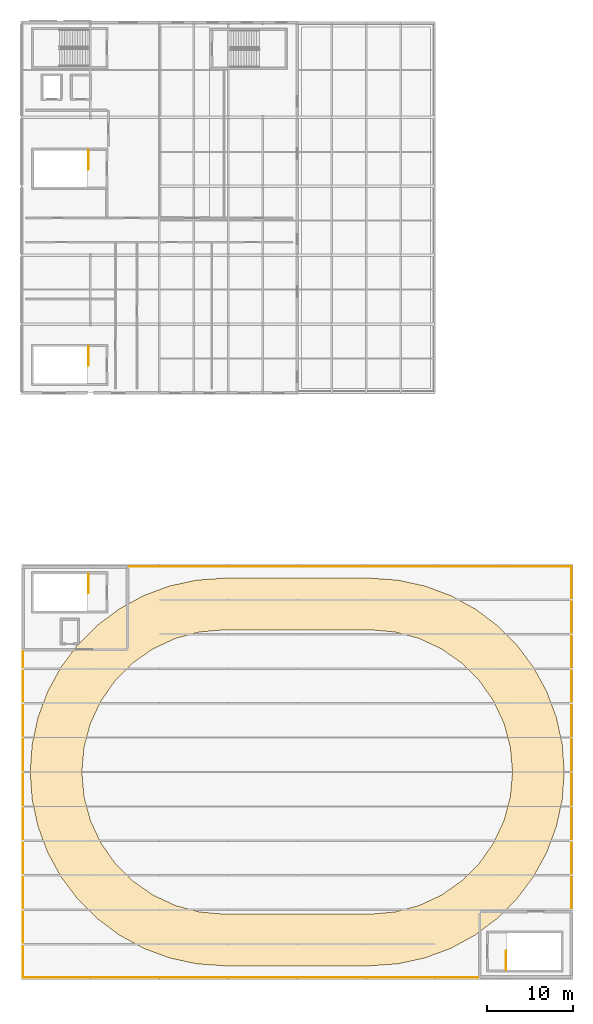
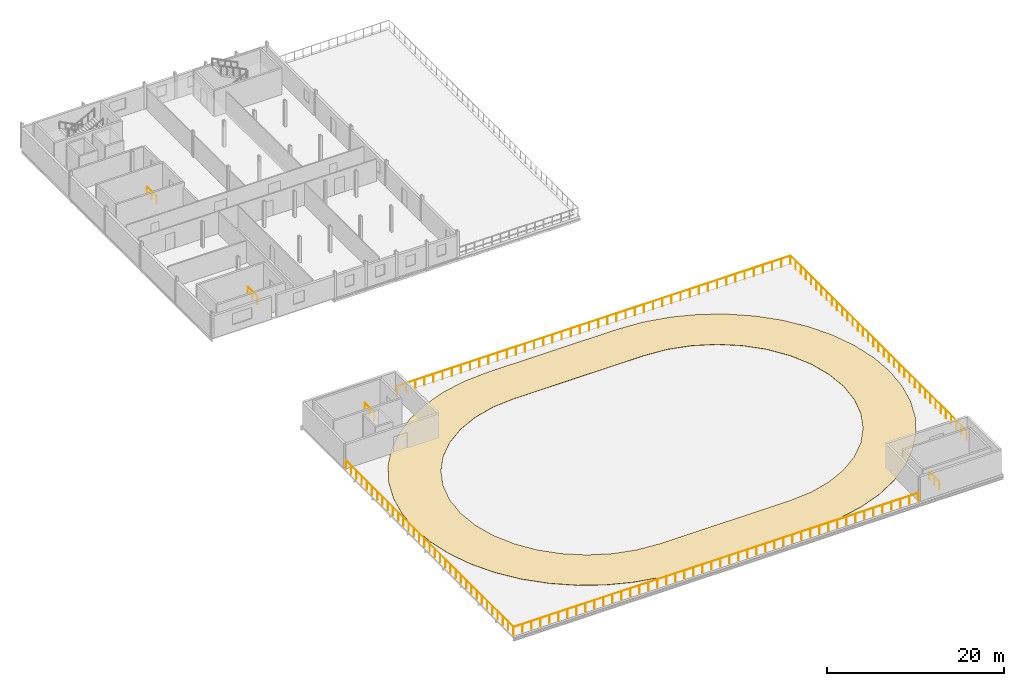
# One storey, part 9 of 11: 6 railings, 1 covering.
"""IFC4 building model written with IfcOpenShell, lengths in metres."""

from ifc_helpers import new_model, si_unit, derived_unit, direction, frame, origin, origin_2d, place, context, subcontext, project, spatial, polyline, circle, outline, extrude, material, layer, layer_set, type_object, element, save


model = new_model("IFC4")

# Units and contexts
model_context = context("Model", 3, precision=1e-05, world=origin(), true_north=direction((0.0, 1.0)))
body_context = subcontext(model_context, "Body", "Model", "MODEL_VIEW")
ifc_project = project(units=[si_unit("LENGTHUNIT", "METRE"), si_unit("AREAUNIT", "SQUARE_METRE"), si_unit("VOLUMEUNIT", "CUBIC_METRE"), si_unit("PLANEANGLEUNIT", "RADIAN"), si_unit("MASSUNIT", "GRAM", prefix="KILO"), derived_unit("THERMALTRANSMITTANCEUNIT", [(si_unit("POWERUNIT", "WATT"), 1), (si_unit("LENGTHUNIT", "METRE"), -2), (si_unit("THERMODYNAMICTEMPERATUREUNIT", "KELVIN"), -1)])], contexts=[model_context])

# Site, building, storey
site_placement = place(None, origin())
site = spatial("IfcSite", under=ifc_project, at=site_placement, CompositionType="ELEMENT")
building_placement = place(site_placement, origin())
building = spatial("IfcBuilding", under=site, at=building_placement, Name="Keldorne Ridge Multi-Sports Centre", CompositionType="ELEMENT")
storey_placement = place(building_placement, frame((0.0, 0.0, 18.60009765625)))
storey = spatial("IfcBuildingStorey", under=building, at=storey_placement, Name="L04", CompositionType="ELEMENT", Elevation=18.60009765625)

# Covering
ifc_material_1 = material(Name="EPDM athletic track surfacing")
ifc_layer = layer(ifc_material_1, 0.034912109375)
ifc_layer_set = layer_set([ifc_layer])
covering_type = type_object("IfcCoveringType", Name="COV-TK-01", PredefinedType="FLOORING", material=ifc_layer_set)
covering_placement = place(storey_placement, origin())
element("IfcCovering", 1, at=covering_placement, inside=storey, type_object=covering_type, Name="Rooftop 3-lane EPDM running track surfacing", PredefinedType="FLOORING", context=body_context, shape_type="SweptSolid", body=[
    extrude(outline(polyline([(144.5, 7.5), (147.7021484375, 7.72900390625), (150.839111328125, 8.411376953125), (153.8466796875, 9.533203125), (156.664306640625, 11.07177734375), (159.234375, 12.99560546875), (161.50439453125, 15.265625), (163.42822265625, 17.835693359375), (164.966796875, 20.6533203125), (166.088623046875, 23.660888671875), (166.77099609375, 26.7978515625), (167.0, 30.0), (166.77099609375, 33.2021484375), (166.088623046875, 36.339111328125), (164.966796875, 39.3466796875), (163.42822265625, 42.164306640625), (161.50439453125, 44.734375), (159.234375, 47.00439453125), (156.664306640625, 48.92822265625), (153.8466796875, 50.466796875), (150.839111328125, 51.588623046875), (147.7021484375, 52.27099609375), (144.5, 52.5), (127.5, 52.5), (124.2978515625, 52.27099609375), (121.160888671875, 51.588623046875), (118.1533203125, 50.466796875), (115.335693359375, 48.92822265625), (112.765625, 47.00439453125), (110.49560546875, 44.734375), (108.57177734375, 42.164306640625), (107.033203125, 39.3466796875), (105.911376953125, 36.339111328125), (105.22900390625, 33.2021484375), (105.0, 30.0), (105.22900390625, 26.7978515625), (105.911376953125, 23.660888671875), (107.033203125, 20.6533203125), (108.57177734375, 17.835693359375), (110.49560546875, 15.265625), (112.765625, 12.99560546875), (115.335693359375, 11.07177734375), (118.1533203125, 9.533203125), (121.160888671875, 8.411376953125), (124.2978515625, 7.72900390625), (127.5, 7.5), (144.5, 7.5)]), holes=[polyline([(127.5, 13.5), (124.634765625, 13.750732421875), (121.856689453125, 14.4951171875), (119.25, 15.710693359375), (116.89404296875, 17.3603515625), (114.8603515625, 19.39404296875), (113.210693359375, 21.75), (111.9951171875, 24.356689453125), (111.250732421875, 27.134765625), (111.0, 30.0), (111.250732421875, 32.865234375), (111.9951171875, 35.643310546875), (113.210693359375, 38.25), (114.8603515625, 40.60595703125), (116.89404296875, 42.6396484375), (119.25, 44.289306640625), (121.856689453125, 45.5048828125), (124.634765625, 46.249267578125), (127.5, 46.5), (144.5, 46.5), (147.365234375, 46.249267578125), (150.143310546875, 45.5048828125), (152.75, 44.289306640625), (155.10595703125, 42.6396484375), (157.1396484375, 40.60595703125), (158.789306640625, 38.25), (160.0048828125, 35.643310546875), (160.749267578125, 32.865234375), (161.0, 30.0), (160.749267578125, 27.134765625), (160.0048828125, 24.356689453125), (158.789306640625, 21.75), (157.1396484375, 19.39404296875), (155.10595703125, 17.3603515625), (152.75, 15.710693359375), (150.143310546875, 14.4951171875), (147.365234375, 13.750732421875), (144.5, 13.5), (127.5, 13.5)])]), origin(), (0.0, 0.0, 1.0), 0.034912109375),
])

# Railings
ifc_material_2 = material(Name="Laminated glass and stainless steel", Category="steel")
railing_type_1 = type_object("IfcRailingType", Name="RLG-BL-01", PredefinedType="BALUSTRADE", material=ifc_material_2)
for number, where, name in (
    (2, (111.75, 79.39990234375, 0.0), "L04 ST-02 top well guard 1"),
    (3, (111.75, 53.0, 0.0), "L04 ST-04 top well guard 1"),
):
    element("IfcRailing", number, at=place(storey_placement, frame(where)), inside=storey, type_object=railing_type_1, Name=name, PredefinedType="BALUSTRADE", context=body_context, shape_type="SweptSolid", body=[
        extrude(circle(Radius=0.02392578125, at=origin_2d()), frame((0.0, 0.0, 1.076171875), z_axis=(0.0, -1.0, 0.0), x_axis=(1.0, 0.0, 0.0)), (0.0, 0.0, 1.0), 2.239990234375),
        extrude(circle(Radius=0.02099609375, at=origin_2d()), origin(), (0.0, 0.0, 1.0), 1.052001953125),
        extrude(circle(Radius=0.02099609375, at=origin_2d()), frame((0.0, -1.1201171875, 0.0)), (0.0, 0.0, 1.0), 1.052001953125),
        extrude(circle(Radius=0.02099609375, at=origin_2d()), frame((0.0, -2.239990234375, 0.0)), (0.0, 0.0, 1.0), 1.052001953125),
    ])
railing_1_placement = place(storey_placement, frame((160.25, 7.0, 0.0)))
element("IfcRailing", 4, at=railing_1_placement, inside=storey, type_object=railing_type_1, Name="L04 ST-05 top well guard 1", PredefinedType="BALUSTRADE", context=body_context, shape_type="SweptSolid", body=[
    extrude(circle(Radius=0.02392578125, at=origin_2d()), frame((0.0, 0.0, 1.076171875), z_axis=(0.0, 1.0, 0.0), x_axis=(-1.0, 0.0, 0.0)), (0.0, 0.0, 1.0), 2.239990234375),
    extrude(circle(Radius=0.02099609375, at=origin_2d()), origin(), (0.0, 0.0, 1.0), 1.052001953125),
    extrude(circle(Radius=0.02099609375, at=origin_2d()), frame((0.0, 1.1201171875, 0.0)), (0.0, 0.0, 1.0), 1.052001953125),
    extrude(circle(Radius=0.02099609375, at=origin_2d()), frame((0.0, 2.239990234375, 0.0)), (0.0, 0.0, 1.0), 1.052001953125),
])
railing_2_placement = place(storey_placement, frame((111.75, 102.199951171875, 0.0)))
element("IfcRailing", 5, at=railing_2_placement, inside=storey, type_object=railing_type_1, Name="L04 ST-11 top well guard 1", PredefinedType="BALUSTRADE", context=body_context, shape_type="SweptSolid", body=[
    extrude(circle(Radius=0.02392578125, at=origin_2d()), frame((0.0, 0.0, 1.076171875), z_axis=(0.0, -1.0, 0.0), x_axis=(1.0, 0.0, 0.0)), (0.0, 0.0, 1.0), 2.239990234375),
    extrude(circle(Radius=0.02099609375, at=origin_2d()), origin(), (0.0, 0.0, 1.0), 1.052001953125),
    extrude(circle(Radius=0.02099609375, at=origin_2d()), frame((0.0, -1.1201171875, 0.0)), (0.0, 0.0, 1.0), 1.052001953125),
    extrude(circle(Radius=0.02099609375, at=origin_2d()), frame((0.0, -2.239990234375, 0.0)), (0.0, 0.0, 1.0), 1.052001953125),
])
ifc_material_3 = material(Name="Galvanized steel", Category="steel")
railing_type_2 = type_object("IfcRailingType", Name="RLG-GR-01", PredefinedType="GUARDRAIL", material=ifc_material_3)
railing_3_placement = place(storey_placement, frame((104.14990234375, 44.0, 0.0)))
element("IfcRailing", 6, at=railing_3_placement, inside=storey, type_object=railing_type_2, Name="Perimeter safety guardrail RLG-TRK-S1", PredefinedType="GUARDRAIL", context=body_context, shape_type="SweptSolid", body=[
    extrude(circle(Radius=0.02392578125, at=origin_2d()), frame((0.0, 0.0, 1.17578125), z_axis=(0.0, -1.0, 0.0), x_axis=(1.0, 0.0, 0.0)), (0.0, 0.0, 1.0), 37.85009765625),
    extrude(circle(Radius=0.02392578125, at=origin_2d()), frame((0.0, -37.85009765625, 1.17578125), z_axis=(1.0, 0.0, 0.0), x_axis=(0.0, 1.0, 0.0)), (0.0, 0.0, 1.0), 52.85009765625),
    extrude(circle(Radius=0.02099609375, at=origin_2d()), origin(), (0.0, 0.0, 1.0), 1.15185546875),
    extrude(circle(Radius=0.02099609375, at=origin_2d()), frame((0.0, -1.182861328125, 0.0)), (0.0, 0.0, 1.0), 1.15185546875),
    extrude(circle(Radius=0.02099609375, at=origin_2d()), frame((0.0, -2.36572265625, 0.0)), (0.0, 0.0, 1.0), 1.15185546875),
    extrude(circle(Radius=0.02099609375, at=origin_2d()), frame((0.0, -3.54833984375, 0.0)), (0.0, 0.0, 1.0), 1.15185546875),
    extrude(circle(Radius=0.02099609375, at=origin_2d()), frame((0.0, -4.731201171875, 0.0)), (0.0, 0.0, 1.0), 1.15185546875),
    extrude(circle(Radius=0.02099609375, at=origin_2d()), frame((0.0, -5.9140625, 0.0)), (0.0, 0.0, 1.0), 1.15185546875),
    extrude(circle(Radius=0.02099609375, at=origin_2d()), frame((0.0, -7.096923828125, 0.0)), (0.0, 0.0, 1.0), 1.15185546875),
    extrude(circle(Radius=0.02099609375, at=origin_2d()), frame((0.0, -8.27978515625, 0.0)), (0.0, 0.0, 1.0), 1.15185546875),
    extrude(circle(Radius=0.02099609375, at=origin_2d()), frame((0.0, -9.46240234375, 0.0)), (0.0, 0.0, 1.0), 1.15185546875),
    extrude(circle(Radius=0.02099609375, at=origin_2d()), frame((0.0, -10.645263671875, 0.0)), (0.0, 0.0, 1.0), 1.15185546875),
    extrude(circle(Radius=0.02099609375, at=origin_2d()), frame((0.0, -11.828125, 0.0)), (0.0, 0.0, 1.0), 1.15185546875),
    extrude(circle(Radius=0.02099609375, at=origin_2d()), frame((0.0, -13.010986328125, 0.0)), (0.0, 0.0, 1.0), 1.15185546875),
    extrude(circle(Radius=0.02099609375, at=origin_2d()), frame((0.0, -14.19384765625, 0.0)), (0.0, 0.0, 1.0), 1.15185546875),
    extrude(circle(Radius=0.02099609375, at=origin_2d()), frame((0.0, -15.376708984375, 0.0)), (0.0, 0.0, 1.0), 1.15185546875),
    extrude(circle(Radius=0.02099609375, at=origin_2d()), frame((0.0, -16.559326171875, 0.0)), (0.0, 0.0, 1.0), 1.15185546875),
    extrude(circle(Radius=0.02099609375, at=origin_2d()), frame((0.0, -17.7421875, 0.0)), (0.0, 0.0, 1.0), 1.15185546875),
    extrude(circle(Radius=0.02099609375, at=origin_2d()), frame((0.0, -18.925048828125, 0.0)), (0.0, 0.0, 1.0), 1.15185546875),
    extrude(circle(Radius=0.02099609375, at=origin_2d()), frame((0.0, -20.10791015625, 0.0)), (0.0, 0.0, 1.0), 1.15185546875),
    extrude(circle(Radius=0.02099609375, at=origin_2d()), frame((0.0, -21.290771484375, 0.0)), (0.0, 0.0, 1.0), 1.15185546875),
    extrude(circle(Radius=0.02099609375, at=origin_2d()), frame((0.0, -22.473388671875, 0.0)), (0.0, 0.0, 1.0), 1.15185546875),
    extrude(circle(Radius=0.02099609375, at=origin_2d()), frame((0.0, -23.65625, 0.0)), (0.0, 0.0, 1.0), 1.15185546875),
    extrude(circle(Radius=0.02099609375, at=origin_2d()), frame((0.0, -24.839111328125, 0.0)), (0.0, 0.0, 1.0), 1.15185546875),
    extrude(circle(Radius=0.02099609375, at=origin_2d()), frame((0.0, -26.02197265625, 0.0)), (0.0, 0.0, 1.0), 1.15185546875),
    extrude(circle(Radius=0.02099609375, at=origin_2d()), frame((0.0, -27.204833984375, 0.0)), (0.0, 0.0, 1.0), 1.15185546875),
    extrude(circle(Radius=0.02099609375, at=origin_2d()), frame((0.0, -28.3876953125, 0.0)), (0.0, 0.0, 1.0), 1.15185546875),
    extrude(circle(Radius=0.02099609375, at=origin_2d()), frame((0.0, -29.5703125, 0.0)), (0.0, 0.0, 1.0), 1.15185546875),
    extrude(circle(Radius=0.02099609375, at=origin_2d()), frame((0.0, -30.753173828125, 0.0)), (0.0, 0.0, 1.0), 1.15185546875),
    extrude(circle(Radius=0.02099609375, at=origin_2d()), frame((0.0, -31.93603515625, 0.0)), (0.0, 0.0, 1.0), 1.15185546875),
    extrude(circle(Radius=0.02099609375, at=origin_2d()), frame((0.0, -33.118896484375, 0.0)), (0.0, 0.0, 1.0), 1.15185546875),
    extrude(circle(Radius=0.02099609375, at=origin_2d()), frame((0.0, -34.3017578125, 0.0)), (0.0, 0.0, 1.0), 1.15185546875),
    extrude(circle(Radius=0.02099609375, at=origin_2d()), frame((0.0, -35.484375, 0.0)), (0.0, 0.0, 1.0), 1.15185546875),
    extrude(circle(Radius=0.02099609375, at=origin_2d()), frame((0.0, -36.667236328125, 0.0)), (0.0, 0.0, 1.0), 1.15185546875),
    extrude(circle(Radius=0.02099609375, at=origin_2d()), frame((0.0, -37.85009765625, 0.0)), (0.0, 0.0, 1.0), 1.15185546875),
    extrude(circle(Radius=0.02099609375, at=origin_2d()), frame((1.174560546875, -37.85009765625, 0.0)), (0.0, 0.0, 1.0), 1.15185546875),
    extrude(circle(Radius=0.02099609375, at=origin_2d()), frame((2.348876953125, -37.85009765625, 0.0)), (0.0, 0.0, 1.0), 1.15185546875),
    extrude(circle(Radius=0.02099609375, at=origin_2d()), frame((3.5234375, -37.85009765625, 0.0)), (0.0, 0.0, 1.0), 1.15185546875),
    extrude(circle(Radius=0.02099609375, at=origin_2d()), frame((4.69775390625, -37.85009765625, 0.0)), (0.0, 0.0, 1.0), 1.15185546875),
    extrude(circle(Radius=0.02099609375, at=origin_2d()), frame((5.872314453125, -37.85009765625, 0.0)), (0.0, 0.0, 1.0), 1.15185546875),
    extrude(circle(Radius=0.02099609375, at=origin_2d()), frame((7.046630859375, -37.85009765625, 0.0)), (0.0, 0.0, 1.0), 1.15185546875),
    extrude(circle(Radius=0.02099609375, at=origin_2d()), frame((8.22119140625, -37.85009765625, 0.0)), (0.0, 0.0, 1.0), 1.15185546875),
    extrude(circle(Radius=0.02099609375, at=origin_2d()), frame((9.3955078125, -37.85009765625, 0.0)), (0.0, 0.0, 1.0), 1.15185546875),
    extrude(circle(Radius=0.02099609375, at=origin_2d()), frame((10.570068359375, -37.85009765625, 0.0)), (0.0, 0.0, 1.0), 1.15185546875),
    extrude(circle(Radius=0.02099609375, at=origin_2d()), frame((11.744384765625, -37.85009765625, 0.0)), (0.0, 0.0, 1.0), 1.15185546875),
    extrude(circle(Radius=0.02099609375, at=origin_2d()), frame((12.9189453125, -37.85009765625, 0.0)), (0.0, 0.0, 1.0), 1.15185546875),
    extrude(circle(Radius=0.02099609375, at=origin_2d()), frame((14.09326171875, -37.85009765625, 0.0)), (0.0, 0.0, 1.0), 1.15185546875),
    extrude(circle(Radius=0.02099609375, at=origin_2d()), frame((15.267822265625, -37.85009765625, 0.0)), (0.0, 0.0, 1.0), 1.15185546875),
    extrude(circle(Radius=0.02099609375, at=origin_2d()), frame((16.442138671875, -37.85009765625, 0.0)), (0.0, 0.0, 1.0), 1.15185546875),
    extrude(circle(Radius=0.02099609375, at=origin_2d()), frame((17.61669921875, -37.85009765625, 0.0)), (0.0, 0.0, 1.0), 1.15185546875),
    extrude(circle(Radius=0.02099609375, at=origin_2d()), frame((18.791259765625, -37.85009765625, 0.0)), (0.0, 0.0, 1.0), 1.15185546875),
    extrude(circle(Radius=0.02099609375, at=origin_2d()), frame((19.965576171875, -37.85009765625, 0.0)), (0.0, 0.0, 1.0), 1.15185546875),
    extrude(circle(Radius=0.02099609375, at=origin_2d()), frame((21.14013671875, -37.85009765625, 0.0)), (0.0, 0.0, 1.0), 1.15185546875),
    extrude(circle(Radius=0.02099609375, at=origin_2d()), frame((22.314453125, -37.85009765625, 0.0)), (0.0, 0.0, 1.0), 1.15185546875),
    extrude(circle(Radius=0.02099609375, at=origin_2d()), frame((23.489013671875, -37.85009765625, 0.0)), (0.0, 0.0, 1.0), 1.15185546875),
    extrude(circle(Radius=0.02099609375, at=origin_2d()), frame((24.663330078125, -37.85009765625, 0.0)), (0.0, 0.0, 1.0), 1.15185546875),
    extrude(circle(Radius=0.02099609375, at=origin_2d()), frame((25.837890625, -37.85009765625, 0.0)), (0.0, 0.0, 1.0), 1.15185546875),
    extrude(circle(Radius=0.02099609375, at=origin_2d()), frame((27.01220703125, -37.85009765625, 0.0)), (0.0, 0.0, 1.0), 1.15185546875),
    extrude(circle(Radius=0.02099609375, at=origin_2d()), frame((28.186767578125, -37.85009765625, 0.0)), (0.0, 0.0, 1.0), 1.15185546875),
    extrude(circle(Radius=0.02099609375, at=origin_2d()), frame((29.361083984375, -37.85009765625, 0.0)), (0.0, 0.0, 1.0), 1.15185546875),
    extrude(circle(Radius=0.02099609375, at=origin_2d()), frame((30.53564453125, -37.85009765625, 0.0)), (0.0, 0.0, 1.0), 1.15185546875),
    extrude(circle(Radius=0.02099609375, at=origin_2d()), frame((31.7099609375, -37.85009765625, 0.0)), (0.0, 0.0, 1.0), 1.15185546875),
    extrude(circle(Radius=0.02099609375, at=origin_2d()), frame((32.884521484375, -37.85009765625, 0.0)), (0.0, 0.0, 1.0), 1.15185546875),
    extrude(circle(Radius=0.02099609375, at=origin_2d()), frame((34.058837890625, -37.85009765625, 0.0)), (0.0, 0.0, 1.0), 1.15185546875),
    extrude(circle(Radius=0.02099609375, at=origin_2d()), frame((35.2333984375, -37.85009765625, 0.0)), (0.0, 0.0, 1.0), 1.15185546875),
    extrude(circle(Radius=0.02099609375, at=origin_2d()), frame((36.407958984375, -37.85009765625, 0.0)), (0.0, 0.0, 1.0), 1.15185546875),
    extrude(circle(Radius=0.02099609375, at=origin_2d()), frame((37.582275390625, -37.85009765625, 0.0)), (0.0, 0.0, 1.0), 1.15185546875),
    extrude(circle(Radius=0.02099609375, at=origin_2d()), frame((38.7568359375, -37.85009765625, 0.0)), (0.0, 0.0, 1.0), 1.15185546875),
    extrude(circle(Radius=0.02099609375, at=origin_2d()), frame((39.93115234375, -37.85009765625, 0.0)), (0.0, 0.0, 1.0), 1.15185546875),
    extrude(circle(Radius=0.02099609375, at=origin_2d()), frame((41.105712890625, -37.85009765625, 0.0)), (0.0, 0.0, 1.0), 1.15185546875),
    extrude(circle(Radius=0.02099609375, at=origin_2d()), frame((42.280029296875, -37.85009765625, 0.0)), (0.0, 0.0, 1.0), 1.15185546875),
    extrude(circle(Radius=0.02099609375, at=origin_2d()), frame((43.45458984375, -37.85009765625, 0.0)), (0.0, 0.0, 1.0), 1.15185546875),
    extrude(circle(Radius=0.02099609375, at=origin_2d()), frame((44.62890625, -37.85009765625, 0.0)), (0.0, 0.0, 1.0), 1.15185546875),
    extrude(circle(Radius=0.02099609375, at=origin_2d()), frame((45.803466796875, -37.85009765625, 0.0)), (0.0, 0.0, 1.0), 1.15185546875),
    extrude(circle(Radius=0.02099609375, at=origin_2d()), frame((46.977783203125, -37.85009765625, 0.0)), (0.0, 0.0, 1.0), 1.15185546875),
    extrude(circle(Radius=0.02099609375, at=origin_2d()), frame((48.15234375, -37.85009765625, 0.0)), (0.0, 0.0, 1.0), 1.15185546875),
    extrude(circle(Radius=0.02099609375, at=origin_2d()), frame((49.32666015625, -37.85009765625, 0.0)), (0.0, 0.0, 1.0), 1.15185546875),
    extrude(circle(Radius=0.02099609375, at=origin_2d()), frame((50.501220703125, -37.85009765625, 0.0)), (0.0, 0.0, 1.0), 1.15185546875),
    extrude(circle(Radius=0.02099609375, at=origin_2d()), frame((51.675537109375, -37.85009765625, 0.0)), (0.0, 0.0, 1.0), 1.15185546875),
    extrude(circle(Radius=0.02099609375, at=origin_2d()), frame((52.85009765625, -37.85009765625, 0.0)), (0.0, 0.0, 1.0), 1.15185546875),
])
railing_4_placement = place(storey_placement, frame((167.85009765625, 14.0, 0.0)))
element("IfcRailing", 7, at=railing_4_placement, inside=storey, type_object=railing_type_2, Name="Perimeter safety guardrail RLG-TRK-E1", PredefinedType="GUARDRAIL", context=body_context, shape_type="SweptSolid", body=[
    extrude(circle(Radius=0.02392578125, at=origin_2d()), frame((0.0, 0.0, 1.17578125), z_axis=(0.0, 1.0, 0.0), x_axis=(-1.0, 0.0, 0.0)), (0.0, 0.0, 1.0), 39.85009765625),
    extrude(circle(Radius=0.02392578125, at=origin_2d()), frame((0.0, 39.85009765625, 1.17578125), z_axis=(-1.0, 0.0, 0.0), x_axis=(0.0, -1.0, 0.0)), (0.0, 0.0, 1.0), 51.35009765625),
    extrude(circle(Radius=0.02099609375, at=origin_2d()), origin(), (0.0, 0.0, 1.0), 1.15185546875),
    extrude(circle(Radius=0.02099609375, at=origin_2d()), frame((0.0, 1.172119140625, 0.0)), (0.0, 0.0, 1.0), 1.15185546875),
    extrude(circle(Radius=0.02099609375, at=origin_2d()), frame((0.0, 2.34423828125, 0.0)), (0.0, 0.0, 1.0), 1.15185546875),
    extrude(circle(Radius=0.02099609375, at=origin_2d()), frame((0.0, 3.51611328125, 0.0)), (0.0, 0.0, 1.0), 1.15185546875),
    extrude(circle(Radius=0.02099609375, at=origin_2d()), frame((0.0, 4.688232421875, 0.0)), (0.0, 0.0, 1.0), 1.15185546875),
    extrude(circle(Radius=0.02099609375, at=origin_2d()), frame((0.0, 5.8603515625, 0.0)), (0.0, 0.0, 1.0), 1.15185546875),
    extrude(circle(Radius=0.02099609375, at=origin_2d()), frame((0.0, 7.032470703125, 0.0)), (0.0, 0.0, 1.0), 1.15185546875),
    extrude(circle(Radius=0.02099609375, at=origin_2d()), frame((0.0, 8.204345703125, 0.0)), (0.0, 0.0, 1.0), 1.15185546875),
    extrude(circle(Radius=0.02099609375, at=origin_2d()), frame((0.0, 9.37646484375, 0.0)), (0.0, 0.0, 1.0), 1.15185546875),
    extrude(circle(Radius=0.02099609375, at=origin_2d()), frame((0.0, 10.548583984375, 0.0)), (0.0, 0.0, 1.0), 1.15185546875),
    extrude(circle(Radius=0.02099609375, at=origin_2d()), frame((0.0, 11.720703125, 0.0)), (0.0, 0.0, 1.0), 1.15185546875),
    extrude(circle(Radius=0.02099609375, at=origin_2d()), frame((0.0, 12.892578125, 0.0)), (0.0, 0.0, 1.0), 1.15185546875),
    extrude(circle(Radius=0.02099609375, at=origin_2d()), frame((0.0, 14.064697265625, 0.0)), (0.0, 0.0, 1.0), 1.15185546875),
    extrude(circle(Radius=0.02099609375, at=origin_2d()), frame((0.0, 15.23681640625, 0.0)), (0.0, 0.0, 1.0), 1.15185546875),
    extrude(circle(Radius=0.02099609375, at=origin_2d()), frame((0.0, 16.408935546875, 0.0)), (0.0, 0.0, 1.0), 1.15185546875),
    extrude(circle(Radius=0.02099609375, at=origin_2d()), frame((0.0, 17.580810546875, 0.0)), (0.0, 0.0, 1.0), 1.15185546875),
    extrude(circle(Radius=0.02099609375, at=origin_2d()), frame((0.0, 18.7529296875, 0.0)), (0.0, 0.0, 1.0), 1.15185546875),
    extrude(circle(Radius=0.02099609375, at=origin_2d()), frame((0.0, 19.925048828125, 0.0)), (0.0, 0.0, 1.0), 1.15185546875),
    extrude(circle(Radius=0.02099609375, at=origin_2d()), frame((0.0, 21.09716796875, 0.0)), (0.0, 0.0, 1.0), 1.15185546875),
    extrude(circle(Radius=0.02099609375, at=origin_2d()), frame((0.0, 22.269287109375, 0.0)), (0.0, 0.0, 1.0), 1.15185546875),
    extrude(circle(Radius=0.02099609375, at=origin_2d()), frame((0.0, 23.441162109375, 0.0)), (0.0, 0.0, 1.0), 1.15185546875),
    extrude(circle(Radius=0.02099609375, at=origin_2d()), frame((0.0, 24.61328125, 0.0)), (0.0, 0.0, 1.0), 1.15185546875),
    extrude(circle(Radius=0.02099609375, at=origin_2d()), frame((0.0, 25.785400390625, 0.0)), (0.0, 0.0, 1.0), 1.15185546875),
    extrude(circle(Radius=0.02099609375, at=origin_2d()), frame((0.0, 26.95751953125, 0.0)), (0.0, 0.0, 1.0), 1.15185546875),
    extrude(circle(Radius=0.02099609375, at=origin_2d()), frame((0.0, 28.12939453125, 0.0)), (0.0, 0.0, 1.0), 1.15185546875),
    extrude(circle(Radius=0.02099609375, at=origin_2d()), frame((0.0, 29.301513671875, 0.0)), (0.0, 0.0, 1.0), 1.15185546875),
    extrude(circle(Radius=0.02099609375, at=origin_2d()), frame((0.0, 30.4736328125, 0.0)), (0.0, 0.0, 1.0), 1.15185546875),
    extrude(circle(Radius=0.02099609375, at=origin_2d()), frame((0.0, 31.645751953125, 0.0)), (0.0, 0.0, 1.0), 1.15185546875),
    extrude(circle(Radius=0.02099609375, at=origin_2d()), frame((0.0, 32.817626953125, 0.0)), (0.0, 0.0, 1.0), 1.15185546875),
    extrude(circle(Radius=0.02099609375, at=origin_2d()), frame((0.0, 33.98974609375, 0.0)), (0.0, 0.0, 1.0), 1.15185546875),
    extrude(circle(Radius=0.02099609375, at=origin_2d()), frame((0.0, 35.161865234375, 0.0)), (0.0, 0.0, 1.0), 1.15185546875),
    extrude(circle(Radius=0.02099609375, at=origin_2d()), frame((0.0, 36.333984375, 0.0)), (0.0, 0.0, 1.0), 1.15185546875),
    extrude(circle(Radius=0.02099609375, at=origin_2d()), frame((0.0, 37.505859375, 0.0)), (0.0, 0.0, 1.0), 1.15185546875),
    extrude(circle(Radius=0.02099609375, at=origin_2d()), frame((0.0, 38.677978515625, 0.0)), (0.0, 0.0, 1.0), 1.15185546875),
    extrude(circle(Radius=0.02099609375, at=origin_2d()), frame((0.0, 39.85009765625, 0.0)), (0.0, 0.0, 1.0), 1.15185546875),
    extrude(circle(Radius=0.02099609375, at=origin_2d()), frame((-1.194091796875, 39.85009765625, 0.0)), (0.0, 0.0, 1.0), 1.15185546875),
    extrude(circle(Radius=0.02099609375, at=origin_2d()), frame((-2.388427734375, 39.85009765625, 0.0)), (0.0, 0.0, 1.0), 1.15185546875),
    extrude(circle(Radius=0.02099609375, at=origin_2d()), frame((-3.58251953125, 39.85009765625, 0.0)), (0.0, 0.0, 1.0), 1.15185546875),
    extrude(circle(Radius=0.02099609375, at=origin_2d()), frame((-4.77685546875, 39.85009765625, 0.0)), (0.0, 0.0, 1.0), 1.15185546875),
    extrude(circle(Radius=0.02099609375, at=origin_2d()), frame((-5.970947265625, 39.85009765625, 0.0)), (0.0, 0.0, 1.0), 1.15185546875),
    extrude(circle(Radius=0.02099609375, at=origin_2d()), frame((-7.1650390625, 39.85009765625, 0.0)), (0.0, 0.0, 1.0), 1.15185546875),
    extrude(circle(Radius=0.02099609375, at=origin_2d()), frame((-8.359375, 39.85009765625, 0.0)), (0.0, 0.0, 1.0), 1.15185546875),
    extrude(circle(Radius=0.02099609375, at=origin_2d()), frame((-9.553466796875, 39.85009765625, 0.0)), (0.0, 0.0, 1.0), 1.15185546875),
    extrude(circle(Radius=0.02099609375, at=origin_2d()), frame((-10.747802734375, 39.85009765625, 0.0)), (0.0, 0.0, 1.0), 1.15185546875),
    extrude(circle(Radius=0.02099609375, at=origin_2d()), frame((-11.94189453125, 39.85009765625, 0.0)), (0.0, 0.0, 1.0), 1.15185546875),
    extrude(circle(Radius=0.02099609375, at=origin_2d()), frame((-13.135986328125, 39.85009765625, 0.0)), (0.0, 0.0, 1.0), 1.15185546875),
    extrude(circle(Radius=0.02099609375, at=origin_2d()), frame((-14.330322265625, 39.85009765625, 0.0)), (0.0, 0.0, 1.0), 1.15185546875),
    extrude(circle(Radius=0.02099609375, at=origin_2d()), frame((-15.5244140625, 39.85009765625, 0.0)), (0.0, 0.0, 1.0), 1.15185546875),
    extrude(circle(Radius=0.02099609375, at=origin_2d()), frame((-16.71875, 39.85009765625, 0.0)), (0.0, 0.0, 1.0), 1.15185546875),
    extrude(circle(Radius=0.02099609375, at=origin_2d()), frame((-17.912841796875, 39.85009765625, 0.0)), (0.0, 0.0, 1.0), 1.15185546875),
    extrude(circle(Radius=0.02099609375, at=origin_2d()), frame((-19.10693359375, 39.85009765625, 0.0)), (0.0, 0.0, 1.0), 1.15185546875),
    extrude(circle(Radius=0.02099609375, at=origin_2d()), frame((-20.30126953125, 39.85009765625, 0.0)), (0.0, 0.0, 1.0), 1.15185546875),
    extrude(circle(Radius=0.02099609375, at=origin_2d()), frame((-21.495361328125, 39.85009765625, 0.0)), (0.0, 0.0, 1.0), 1.15185546875),
    extrude(circle(Radius=0.02099609375, at=origin_2d()), frame((-22.689697265625, 39.85009765625, 0.0)), (0.0, 0.0, 1.0), 1.15185546875),
    extrude(circle(Radius=0.02099609375, at=origin_2d()), frame((-23.8837890625, 39.85009765625, 0.0)), (0.0, 0.0, 1.0), 1.15185546875),
    extrude(circle(Radius=0.02099609375, at=origin_2d()), frame((-25.077880859375, 39.85009765625, 0.0)), (0.0, 0.0, 1.0), 1.15185546875),
    extrude(circle(Radius=0.02099609375, at=origin_2d()), frame((-26.272216796875, 39.85009765625, 0.0)), (0.0, 0.0, 1.0), 1.15185546875),
    extrude(circle(Radius=0.02099609375, at=origin_2d()), frame((-27.46630859375, 39.85009765625, 0.0)), (0.0, 0.0, 1.0), 1.15185546875),
    extrude(circle(Radius=0.02099609375, at=origin_2d()), frame((-28.660400390625, 39.85009765625, 0.0)), (0.0, 0.0, 1.0), 1.15185546875),
    extrude(circle(Radius=0.02099609375, at=origin_2d()), frame((-29.854736328125, 39.85009765625, 0.0)), (0.0, 0.0, 1.0), 1.15185546875),
    extrude(circle(Radius=0.02099609375, at=origin_2d()), frame((-31.048828125, 39.85009765625, 0.0)), (0.0, 0.0, 1.0), 1.15185546875),
    extrude(circle(Radius=0.02099609375, at=origin_2d()), frame((-32.2431640625, 39.85009765625, 0.0)), (0.0, 0.0, 1.0), 1.15185546875),
    extrude(circle(Radius=0.02099609375, at=origin_2d()), frame((-33.437255859375, 39.85009765625, 0.0)), (0.0, 0.0, 1.0), 1.15185546875),
    extrude(circle(Radius=0.02099609375, at=origin_2d()), frame((-34.63134765625, 39.85009765625, 0.0)), (0.0, 0.0, 1.0), 1.15185546875),
    extrude(circle(Radius=0.02099609375, at=origin_2d()), frame((-35.82568359375, 39.85009765625, 0.0)), (0.0, 0.0, 1.0), 1.15185546875),
    extrude(circle(Radius=0.02099609375, at=origin_2d()), frame((-37.019775390625, 39.85009765625, 0.0)), (0.0, 0.0, 1.0), 1.15185546875),
    extrude(circle(Radius=0.02099609375, at=origin_2d()), frame((-38.214111328125, 39.85009765625, 0.0)), (0.0, 0.0, 1.0), 1.15185546875),
    extrude(circle(Radius=0.02099609375, at=origin_2d()), frame((-39.408203125, 39.85009765625, 0.0)), (0.0, 0.0, 1.0), 1.15185546875),
    extrude(circle(Radius=0.02099609375, at=origin_2d()), frame((-40.602294921875, 39.85009765625, 0.0)), (0.0, 0.0, 1.0), 1.15185546875),
    extrude(circle(Radius=0.02099609375, at=origin_2d()), frame((-41.796630859375, 39.85009765625, 0.0)), (0.0, 0.0, 1.0), 1.15185546875),
    extrude(circle(Radius=0.02099609375, at=origin_2d()), frame((-42.99072265625, 39.85009765625, 0.0)), (0.0, 0.0, 1.0), 1.15185546875),
    extrude(circle(Radius=0.02099609375, at=origin_2d()), frame((-44.18505859375, 39.85009765625, 0.0)), (0.0, 0.0, 1.0), 1.15185546875),
    extrude(circle(Radius=0.02099609375, at=origin_2d()), frame((-45.379150390625, 39.85009765625, 0.0)), (0.0, 0.0, 1.0), 1.15185546875),
    extrude(circle(Radius=0.02099609375, at=origin_2d()), frame((-46.5732421875, 39.85009765625, 0.0)), (0.0, 0.0, 1.0), 1.15185546875),
    extrude(circle(Radius=0.02099609375, at=origin_2d()), frame((-47.767578125, 39.85009765625, 0.0)), (0.0, 0.0, 1.0), 1.15185546875),
    extrude(circle(Radius=0.02099609375, at=origin_2d()), frame((-48.961669921875, 39.85009765625, 0.0)), (0.0, 0.0, 1.0), 1.15185546875),
    extrude(circle(Radius=0.02099609375, at=origin_2d()), frame((-50.156005859375, 39.85009765625, 0.0)), (0.0, 0.0, 1.0), 1.15185546875),
    extrude(circle(Radius=0.02099609375, at=origin_2d()), frame((-51.35009765625, 39.85009765625, 0.0)), (0.0, 0.0, 1.0), 1.15185546875),
])

save(model, "model.ifc")
